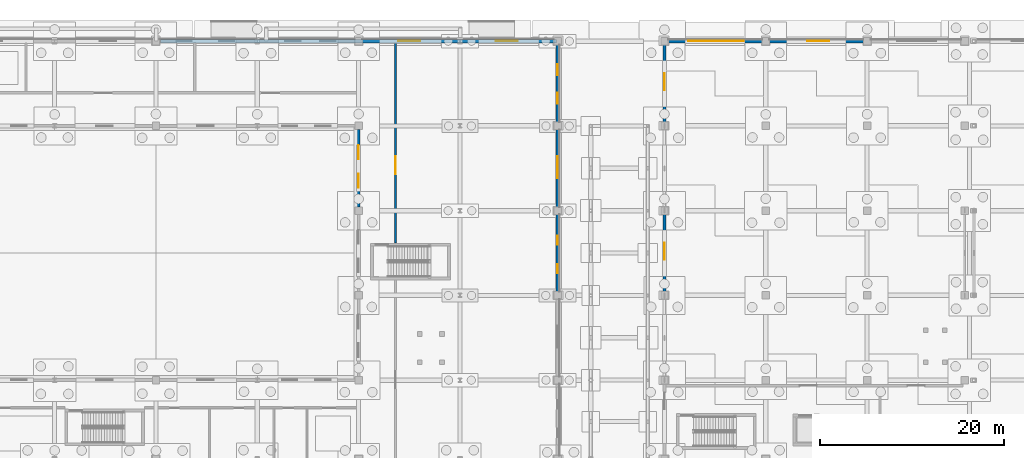
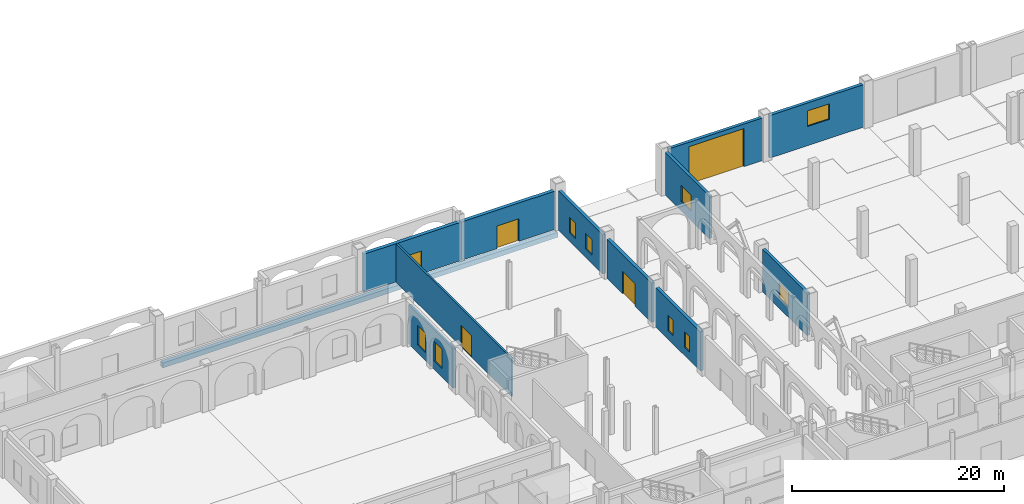
# One storey, part 60 of 83: 12 walls, 9 windows, 5 doors, 14 openings.
"""IFC4 building model written with IfcOpenShell, lengths in metres."""

from ifc_helpers import new_model, si_unit, direction, frame, frame_2d, origin, place, context, subcontext, project, spatial, rectangle, extrude, material, layer, layer_set, type_object, element, fill, save


model = new_model("IFC4")

# Units and contexts
model_context = context("Model", 3, precision=1e-05, world=origin(), true_north=direction((0.0, 1.0)))
body_context = subcontext(model_context, "Body", "Model", "MODEL_VIEW")
ifc_project = project(units=[si_unit("LENGTHUNIT", "METRE"), si_unit("AREAUNIT", "SQUARE_METRE"), si_unit("VOLUMEUNIT", "CUBIC_METRE"), si_unit("PLANEANGLEUNIT", "RADIAN"), si_unit("MASSUNIT", "GRAM", prefix="KILO")], contexts=[model_context])

# Site, building, storey
site_placement = place(None, origin())
site = spatial("IfcSite", under=ifc_project, at=site_placement, CompositionType="ELEMENT")
building_placement = place(site_placement, origin())
building = spatial("IfcBuilding", under=site, at=building_placement, Name="Caurita Quay Ferry Terminal", CompositionType="ELEMENT")
storey_placement = place(building_placement, origin())
storey = spatial("IfcBuildingStorey", under=building, at=storey_placement, Name="L00", CompositionType="ELEMENT", Elevation=0.0)

# Wall, opening, door
ifc_material_1 = material(Name="Warm-white lime stucco masonry", Category="masonry")
ifc_layer_1 = layer(ifc_material_1, 0.199951171875, Name="Interior partitioning wall 200 mm")
ifc_layer_set_1 = layer_set([ifc_layer_1], Name="Warm-white lime stucco masonry")
wall_type_1 = type_object("IfcWallType", Name="WL-CORR-200", PredefinedType="PARTITIONING", material=ifc_layer_set_1)
wall_1_placement = place(storey_placement, frame((70.0, 95.06494140625, 0.0), z_axis=(0.0, 0.0, 1.0), x_axis=(0.0, 1.0, 0.0)))
wall_1 = element("IfcWall", 1, at=wall_1_placement, inside=storey, type_object=wall_type_1, Name="L00 Interior Partition IW-L00-030", PredefinedType="PARTITIONING", context=body_context, shape_type="SweptSolid", body=[
    extrude(rectangle(XDim=21.739990234375, YDim=0.199951171875, at=frame_2d((10.8701171875, 0.0))), origin(), (0.0, 0.0, 1.0), 4.425048828125),
])
opening_1_placement = place(wall_1_placement, frame((7.5048828125, 0.0, 0.0)))
opening_1 = element("IfcOpeningElement", 2, at=opening_1_placement, cuts=wall_1, Name="Opening ID-02", PredefinedType="OPENING", context=body_context, shape_type="SweptSolid", body=[
    extrude(rectangle(XDim=1.949951171875, YDim=2.449951171875, at=frame_2d((0.97509765625, 1.22509765625))), frame((0.0, 0.10986328125, 0.0), z_axis=(0.0, -1.0, 0.0), x_axis=(1.0, 0.0, 0.0)), (0.0, 0.0, 1.0), 0.219970703125),
])
ifc_material_2 = material(Name="Anodized aluminium 6063-T6", Category="aluminium")
door_type_1 = type_object("IfcDoorType", Name="DR-HALL-1950", OperationType="NOTDEFINED", PredefinedType="DOOR", material=ifc_material_2)
door_1_placement = place(opening_1_placement, frame((1.949951171875, 0.0, 0.0), z_axis=(0.0, 0.0, 1.0), x_axis=(-1.0, 0.0, 0.0)))
door_1 = element("IfcDoor", 3, at=door_1_placement, inside=storey, type_object=door_type_1, Name="Group Ticketing Hall Interior Door", OperationType="SINGLE_SWING_RIGHT", OverallHeight=2.449951171875, OverallWidth=1.949951171875, PredefinedType="DOOR", context=body_context, shape_type="SweptSolid", body=[
    extrude(rectangle(XDim=1.949951171875, YDim=2.449951171875, at=frame_2d((0.97509765625, 1.22509765625))), frame((0.0, 0.02490234375, 0.0), z_axis=(0.0, -1.0, 0.0), x_axis=(1.0, 0.0, 0.0)), (0.0, 0.0, 1.0), 0.050048828125),
])
fill(opening_1, door_1)

# Wall, openings, windows
ifc_layer_2 = layer(ifc_material_1, 0.31005859375, Name="Exterior solidwall wall 310 mm")
ifc_layer_set_2 = layer_set([ifc_layer_2], Name="Warm-white lime stucco masonry")
wall_type_2 = type_object("IfcWallType", Name="WL-EXT-310", PredefinedType="SOLIDWALL", material=ifc_layer_set_2)
wall_2_placement = place(storey_placement, frame((66.0, 98.998046875, 0.0), z_axis=(0.0, 0.0, 1.0), x_axis=(0.0, 1.0, 0.0)))
wall_2 = element("IfcWall", 4, at=wall_2_placement, inside=storey, type_object=wall_type_2, Name="L00 Exterior Wall EW-L00-127", PredefinedType="SOLIDWALL", context=body_context, shape_type="SweptSolid", body=[
    extrude(rectangle(XDim=8.404052734375, YDim=0.31005859375, at=frame_2d((4.2021484375, 0.0))), origin(), (0.0, 0.0, 1.0), 4.52490234375),
])
opening_2_placement = place(wall_2_placement, frame((2.10205078125, 0.0, 0.949951171875)))
opening_2 = element("IfcOpeningElement", 5, at=opening_2_placement, cuts=wall_2, Name="Opening W-07", PredefinedType="OPENING", context=body_context, shape_type="SweptSolid", body=[
    extrude(rectangle(XDim=1.5, YDim=2.25, at=frame_2d((0.75, 1.125))), frame((0.0, 0.1650390625, 0.0), z_axis=(0.0, -1.0, 0.0), x_axis=(1.0, 0.0, 0.0)), (0.0, 0.0, 1.0), 0.330078125),
])
opening_3_placement = place(wall_2_placement, frame((5.201904296875, 0.0, 0.949951171875)))
opening_3 = element("IfcOpeningElement", 6, at=opening_3_placement, cuts=wall_2, Name="Opening W-07", PredefinedType="OPENING", context=body_context, shape_type="SweptSolid", body=[
    extrude(rectangle(XDim=1.5, YDim=2.25, at=frame_2d((0.75, 1.125))), frame((0.0, 0.1650390625, 0.0), z_axis=(0.0, -1.0, 0.0), x_axis=(1.0, 0.0, 0.0)), (0.0, 0.0, 1.0), 0.330078125),
])
ifc_material_3 = material(Name="Laminated solar-control insulated glass", Category="glass")
window_type_1 = type_object("IfcWindowType", Name="WIN-SC-1522", PartitioningType="SINGLE_PANEL", PredefinedType="WINDOW", material=ifc_material_3)
window_1_placement = place(opening_2_placement, origin())
window_1 = element("IfcWindow", 7, at=window_1_placement, inside=storey, type_object=window_type_1, Name="L00 Casement Window WN-L00-193", OverallHeight=2.25, OverallWidth=1.5, PartitioningType="SINGLE_PANEL", PredefinedType="WINDOW", context=body_context, shape_type="SweptSolid", body=[
    extrude(rectangle(XDim=1.5, YDim=2.25, at=frame_2d((0.75, 1.125))), frame((0.0, 0.030029296875, 0.0), z_axis=(0.0, -1.0, 0.0), x_axis=(1.0, 0.0, 0.0)), (0.0, 0.0, 1.0), 0.06005859375),
])
fill(opening_2, window_1)
window_2_placement = place(opening_3_placement, origin())
window_2 = element("IfcWindow", 8, at=window_2_placement, inside=storey, type_object=window_type_1, Name="L00 Casement Window WN-L00-194", OverallHeight=2.25, OverallWidth=1.5, PartitioningType="SINGLE_PANEL", PredefinedType="WINDOW", context=body_context, shape_type="SweptSolid", body=[
    extrude(rectangle(XDim=1.5, YDim=2.25, at=frame_2d((0.75, 1.125))), frame((0.0, 0.030029296875, 0.0), z_axis=(0.0, -1.0, 0.0), x_axis=(1.0, 0.0, 0.0)), (0.0, 0.0, 1.0), 0.06005859375),
])
fill(opening_3, window_2)

# Wall, opening, window
wall_3_placement = place(storey_placement, frame((99.199951171875, 98.201904296875, 0.0), z_axis=(0.0, 0.0, 1.0), x_axis=(0.0, -1.0, 0.0)))
wall_3 = element("IfcWall", 9, at=wall_3_placement, inside=storey, type_object=wall_type_2, Name="L00 Exterior Wall EW-L00-236", PredefinedType="SOLIDWALL", context=body_context, shape_type="SweptSolid", body=[
    extrude(rectangle(XDim=8.40380859375, YDim=0.31005859375, at=frame_2d((4.201904296875, 0.0))), origin(), (0.0, 0.0, 1.0), 4.90771484375),
])
opening_4_placement = place(wall_3_placement, frame((3.10205078125, 0.0, 1.10009765625)))
opening_4 = element("IfcOpeningElement", 10, at=opening_4_placement, cuts=wall_3, Name="Opening W-09", PredefinedType="OPENING", context=body_context, shape_type="SweptSolid", body=[
    extrude(rectangle(XDim=1.800048828125, YDim=1.800048828125, at=frame_2d((0.89990234375, 0.89990234375))), frame((0.0, 0.1650390625, 0.0), z_axis=(0.0, -1.0, 0.0), x_axis=(1.0, 0.0, 0.0)), (0.0, 0.0, 1.0), 0.330078125),
])
window_type_2 = type_object("IfcWindowType", Name="WIN-SC-1818", PartitioningType="SINGLE_PANEL", PredefinedType="WINDOW", material=ifc_material_3)
window_3_placement = place(opening_4_placement, origin())
window_3 = element("IfcWindow", 11, at=window_3_placement, inside=storey, type_object=window_type_2, Name="L00 Casement Window WN-L00-333", OverallHeight=1.800048828125, OverallWidth=1.800048828125, PartitioningType="SINGLE_PANEL", PredefinedType="WINDOW", context=body_context, shape_type="SweptSolid", body=[
    extrude(rectangle(XDim=1.800048828125, YDim=1.800048828125, at=frame_2d((0.89990234375, 0.89990234375))), frame((0.0, 0.030029296875, 0.0), z_axis=(0.0, -1.0, 0.0), x_axis=(1.0, 0.0, 0.0)), (0.0, 0.0, 1.0), 0.06005859375),
])
fill(opening_4, window_3)

wall_4_placement = place(storey_placement, frame((99.199951171875, 116.60205078125, 0.0), z_axis=(0.0, 0.0, 1.0), x_axis=(0.0, -1.0, 0.0)))
wall_4 = element("IfcWall", 12, at=wall_4_placement, inside=storey, type_object=wall_type_2, Name="L00 Exterior Wall EW-L00-237", PredefinedType="SOLIDWALL", context=body_context, shape_type="SweptSolid", body=[
    extrude(rectangle(XDim=8.404052734375, YDim=0.31005859375, at=frame_2d((4.2021484375, 0.0))), origin(), (0.0, 0.0, 1.0), 4.90771484375),
])
opening_5_placement = place(wall_4_placement, frame((3.10205078125, 0.0, 1.10009765625)))
opening_5 = element("IfcOpeningElement", 13, at=opening_5_placement, cuts=wall_4, Name="Opening W-09", PredefinedType="OPENING", context=body_context, shape_type="SweptSolid", body=[
    extrude(rectangle(XDim=1.800048828125, YDim=1.800048828125, at=frame_2d((0.89990234375, 0.89990234375))), frame((0.0, 0.1650390625, 0.0), z_axis=(0.0, -1.0, 0.0), x_axis=(1.0, 0.0, 0.0)), (0.0, 0.0, 1.0), 0.330078125),
])
window_4_placement = place(opening_5_placement, origin())
window_4 = element("IfcWindow", 14, at=window_4_placement, inside=storey, type_object=window_type_2, Name="L00 Casement Window WN-L00-334", OverallHeight=1.800048828125, OverallWidth=1.800048828125, PartitioningType="SINGLE_PANEL", PredefinedType="WINDOW", context=body_context, shape_type="SweptSolid", body=[
    extrude(rectangle(XDim=1.800048828125, YDim=1.800048828125, at=frame_2d((0.89990234375, 0.89990234375))), frame((0.0, 0.030029296875, 0.0), z_axis=(0.0, -1.0, 0.0), x_axis=(1.0, 0.0, 0.0)), (0.0, 0.0, 1.0), 0.06005859375),
])
fill(opening_5, window_4)

# Wall, openings, windows
ifc_layer_3 = layer(ifc_material_1, 0.340087890625, Name="Exterior solidwall wall 340 mm")
ifc_layer_set_3 = layer_set([ifc_layer_3], Name="Warm-white lime stucco masonry")
wall_type_3 = type_object("IfcWallType", Name="WL-EXT-340", PredefinedType="SOLIDWALL", material=ifc_layer_set_3)
wall_5_placement = place(storey_placement, frame((87.60009765625, 89.798095703125, 0.0), z_axis=(0.0, 0.0, 1.0), x_axis=(0.0, 1.0, 0.0)))
wall_5 = element("IfcWall", 15, at=wall_5_placement, inside=storey, type_object=wall_type_3, Name="L00 Exterior Wall EW-L00-085", PredefinedType="SOLIDWALL", context=body_context, shape_type="SweptSolid", body=[
    extrude(rectangle(XDim=8.40380859375, YDim=0.340087890625, at=frame_2d((4.201904296875, 0.0))), origin(), (0.0, 0.0, 1.0), 4.52490234375),
])
opening_6_placement = place(wall_5_placement, frame((2.001953125, 0.0, 0.949951171875)))
opening_6 = element("IfcOpeningElement", 16, at=opening_6_placement, cuts=wall_5, Name="Opening W-02", PredefinedType="OPENING", context=body_context, shape_type="SweptSolid", body=[
    extrude(rectangle(XDim=1.0, YDim=1.800048828125, at=frame_2d((0.5, 0.89990234375))), frame((0.0, 0.179931640625, 0.0), z_axis=(0.0, -1.0, 0.0), x_axis=(1.0, 0.0, 0.0)), (0.0, 0.0, 1.0), 0.360107421875),
])
opening_7_placement = place(wall_5_placement, frame((5.10205078125, 0.0, 0.949951171875)))
opening_7 = element("IfcOpeningElement", 17, at=opening_7_placement, cuts=wall_5, Name="Opening W-02", PredefinedType="OPENING", context=body_context, shape_type="SweptSolid", body=[
    extrude(rectangle(XDim=1.0, YDim=1.800048828125, at=frame_2d((0.5, 0.89990234375))), frame((0.0, 0.179931640625, 0.0), z_axis=(0.0, -1.0, 0.0), x_axis=(1.0, 0.0, 0.0)), (0.0, 0.0, 1.0), 0.360107421875),
])
window_type_3 = type_object("IfcWindowType", Name="WIN-SC-1018", PartitioningType="SINGLE_PANEL", PredefinedType="WINDOW", material=ifc_material_3)
window_5_placement = place(opening_6_placement, origin())
window_5 = element("IfcWindow", 18, at=window_5_placement, inside=storey, type_object=window_type_3, Name="L00 Casement Window WN-L00-127", OverallHeight=1.800048828125, OverallWidth=1.0, PartitioningType="SINGLE_PANEL", PredefinedType="WINDOW", context=body_context, shape_type="SweptSolid", body=[
    extrude(rectangle(XDim=1.0, YDim=1.800048828125, at=frame_2d((0.5, 0.89990234375))), frame((0.0, 0.030029296875, 0.0), z_axis=(0.0, -1.0, 0.0), x_axis=(1.0, 0.0, 0.0)), (0.0, 0.0, 1.0), 0.06005859375),
])
fill(opening_6, window_5)
window_6_placement = place(opening_7_placement, origin())
window_6 = element("IfcWindow", 19, at=window_6_placement, inside=storey, type_object=window_type_3, Name="L00 Casement Window WN-L00-128", OverallHeight=1.800048828125, OverallWidth=1.0, PartitioningType="SINGLE_PANEL", PredefinedType="WINDOW", context=body_context, shape_type="SweptSolid", body=[
    extrude(rectangle(XDim=1.0, YDim=1.800048828125, at=frame_2d((0.5, 0.89990234375))), frame((0.0, 0.030029296875, 0.0), z_axis=(0.0, -1.0, 0.0), x_axis=(1.0, 0.0, 0.0)), (0.0, 0.0, 1.0), 0.06005859375),
])
fill(opening_7, window_6)

# Wall, opening, door
wall_6_placement = place(storey_placement, frame((87.60009765625, 98.998046875, 0.0), z_axis=(0.0, 0.0, 1.0), x_axis=(0.0, 1.0, 0.0)))
wall_6 = element("IfcWall", 20, at=wall_6_placement, inside=storey, type_object=wall_type_3, Name="L00 Exterior Wall EW-L00-086", PredefinedType="SOLIDWALL", context=body_context, shape_type="SweptSolid", body=[
    extrude(rectangle(XDim=8.404052734375, YDim=0.340087890625, at=frame_2d((4.2021484375, 0.0))), origin(), (0.0, 0.0, 1.0), 4.52490234375),
])
opening_8_placement = place(wall_6_placement, frame((3.10205078125, 0.0, 0.0)))
opening_8 = element("IfcOpeningElement", 21, at=opening_8_placement, cuts=wall_6, Name="Opening ED-01", PredefinedType="OPENING", context=body_context, shape_type="SweptSolid", body=[
    extrude(rectangle(XDim=2.39990234375, YDim=2.60009765625, at=frame_2d((1.199951171875, 1.300048828125))), frame((0.0, 0.179931640625, 0.0), z_axis=(0.0, -1.0, 0.0), x_axis=(1.0, 0.0, 0.0)), (0.0, 0.0, 1.0), 0.360107421875),
])
door_type_2 = type_object("IfcDoorType", Name="DR-EXT-2426", OperationType="NOTDEFINED", PredefinedType="DOOR", material=ifc_material_2)
door_2_placement = place(opening_8_placement, frame((2.39990234375, 0.0, 0.0), z_axis=(0.0, 0.0, 1.0), x_axis=(-1.0, 0.0, 0.0)))
door_2 = element("IfcDoor", 22, at=door_2_placement, inside=storey, type_object=door_type_2, Name="Forecourt Portico Entrance Door ED-FC3", OperationType="SINGLE_SWING_RIGHT", OverallHeight=2.60009765625, OverallWidth=2.39990234375, PredefinedType="DOOR", context=body_context, shape_type="SweptSolid", body=[
    extrude(rectangle(XDim=2.39990234375, YDim=2.60009765625, at=frame_2d((1.199951171875, 1.300048828125))), frame((0.0, 0.02490234375, 0.0), z_axis=(0.0, -1.0, 0.0), x_axis=(1.0, 0.0, 0.0)), (0.0, 0.0, 1.0), 0.050048828125),
])
fill(opening_8, door_2)

# Wall, openings, windows
wall_7_placement = place(storey_placement, frame((87.60009765625, 108.197998046875, 0.0), z_axis=(0.0, 0.0, 1.0), x_axis=(0.0, 1.0, 0.0)))
wall_7 = element("IfcWall", 23, at=wall_7_placement, inside=storey, type_object=wall_type_3, Name="L00 Exterior Wall EW-L00-087", PredefinedType="SOLIDWALL", context=body_context, shape_type="SweptSolid", body=[
    extrude(rectangle(XDim=8.404052734375, YDim=0.340087890625, at=frame_2d((4.2021484375, 0.0))), origin(), (0.0, 0.0, 1.0), 4.52490234375),
])
opening_9_placement = place(wall_7_placement, frame((2.001953125, 0.0, 0.949951171875)))
opening_9 = element("IfcOpeningElement", 24, at=opening_9_placement, cuts=wall_7, Name="Opening W-03", PredefinedType="OPENING", context=body_context, shape_type="SweptSolid", body=[
    extrude(rectangle(XDim=1.199951171875, YDim=1.800048828125, at=frame_2d((0.60009765625, 0.89990234375))), frame((0.0, 0.179931640625, 0.0), z_axis=(0.0, -1.0, 0.0), x_axis=(1.0, 0.0, 0.0)), (0.0, 0.0, 1.0), 0.360107421875),
])
opening_10_placement = place(wall_7_placement, frame((5.10205078125, 0.0, 0.949951171875)))
opening_10 = element("IfcOpeningElement", 25, at=opening_10_placement, cuts=wall_7, Name="Opening W-03", PredefinedType="OPENING", context=body_context, shape_type="SweptSolid", body=[
    extrude(rectangle(XDim=1.199951171875, YDim=1.800048828125, at=frame_2d((0.60009765625, 0.89990234375))), frame((0.0, 0.179931640625, 0.0), z_axis=(0.0, -1.0, 0.0), x_axis=(1.0, 0.0, 0.0)), (0.0, 0.0, 1.0), 0.360107421875),
])
window_type_4 = type_object("IfcWindowType", Name="WIN-SC-1218", PartitioningType="SINGLE_PANEL", PredefinedType="WINDOW", material=ifc_material_3)
window_7_placement = place(opening_9_placement, origin())
window_7 = element("IfcWindow", 26, at=window_7_placement, inside=storey, type_object=window_type_4, Name="L00 Casement Window WN-L00-129", OverallHeight=1.800048828125, OverallWidth=1.199951171875, PartitioningType="SINGLE_PANEL", PredefinedType="WINDOW", context=body_context, shape_type="SweptSolid", body=[
    extrude(rectangle(XDim=1.199951171875, YDim=1.800048828125, at=frame_2d((0.60009765625, 0.89990234375))), frame((0.0, 0.030029296875, 0.0), z_axis=(0.0, -1.0, 0.0), x_axis=(1.0, 0.0, 0.0)), (0.0, 0.0, 1.0), 0.06005859375),
])
fill(opening_9, window_7)
window_8_placement = place(opening_10_placement, origin())
window_8 = element("IfcWindow", 27, at=window_8_placement, inside=storey, type_object=window_type_4, Name="L00 Casement Window WN-L00-130", OverallHeight=1.800048828125, OverallWidth=1.199951171875, PartitioningType="SINGLE_PANEL", PredefinedType="WINDOW", context=body_context, shape_type="SweptSolid", body=[
    extrude(rectangle(XDim=1.199951171875, YDim=1.800048828125, at=frame_2d((0.60009765625, 0.89990234375))), frame((0.0, 0.030029296875, 0.0), z_axis=(0.0, -1.0, 0.0), x_axis=(1.0, 0.0, 0.0)), (0.0, 0.0, 1.0), 0.06005859375),
])
fill(opening_10, window_8)

# Wall, opening, door
wall_8_placement = place(storey_placement, frame((109.802001953125, 117.0, 0.0), z_axis=(0.0, 0.0, 1.0), x_axis=(-1.0, 0.0, 0.0)))
wall_8 = element("IfcWall", 28, at=wall_8_placement, inside=storey, type_object=wall_type_3, Name="L00 Exterior Wall EW-L00-220", PredefinedType="SOLIDWALL", context=body_context, shape_type="SweptSolid", body=[
    extrude(rectangle(XDim=10.2041015625, YDim=0.340087890625, at=frame_2d((5.10205078125, 0.0))), origin(), (0.0, 0.0, 1.0), 4.90771484375),
])
opening_11_placement = place(wall_8_placement, frame((2.001953125, 0.0, 0.0)))
opening_11 = element("IfcOpeningElement", 29, at=opening_11_placement, cuts=wall_8, Name="Opening VG-01", PredefinedType="OPENING", context=body_context, shape_type="SweptSolid", body=[
    extrude(rectangle(XDim=6.0, YDim=4.39990234375, at=frame_2d((3.0, 2.199951171875))), frame((0.0, 0.179931640625, 0.0), z_axis=(0.0, -1.0, 0.0), x_axis=(1.0, 0.0, 0.0)), (0.0, 0.0, 1.0), 0.360107421875),
])
ifc_material_4 = material(Name="Bronze architectural metalwork", Category="metal")
door_type_3 = type_object("IfcDoorType", Name="GT-VEH-6044", OperationType="ROLLINGUP", PredefinedType="GATE", material=ifc_material_4)
door_3_placement = place(opening_11_placement, frame((6.0, 0.0, 0.0), z_axis=(0.0, 0.0, 1.0), x_axis=(-1.0, 0.0, 0.0)))
door_3 = element("IfcDoor", 30, at=door_3_placement, inside=storey, type_object=door_type_3, Name="Ro-Ro Vehicle Entry Gate VG-01", OperationType="ROLLINGUP", OverallHeight=4.39990234375, OverallWidth=6.0, PredefinedType="GATE", context=body_context, shape_type="SweptSolid", body=[
    extrude(rectangle(XDim=6.0, YDim=4.39990234375, at=frame_2d((3.0, 2.199951171875))), frame((0.0, 0.02490234375, 0.0), z_axis=(0.0, -1.0, 0.0), x_axis=(1.0, 0.0, 0.0)), (0.0, 0.0, 1.0), 0.050048828125),
])
fill(opening_11, door_3)

# Wall, opening, window
wall_9_placement = place(storey_placement, frame((120.802001953125, 117.0, 0.0), z_axis=(0.0, 0.0, 1.0), x_axis=(-1.0, 0.0, 0.0)))
wall_9 = element("IfcWall", 31, at=wall_9_placement, inside=storey, type_object=wall_type_3, Name="L00 Exterior Wall EW-L00-222", PredefinedType="SOLIDWALL", context=body_context, shape_type="SweptSolid", body=[
    extrude(rectangle(XDim=10.2041015625, YDim=0.340087890625, at=frame_2d((5.10205078125, 0.0))), origin(), (0.0, 0.0, 1.0), 4.90771484375),
])
opening_12_placement = place(wall_9_placement, frame((3.701904296875, 0.0, 2.199951171875)))
opening_12 = element("IfcOpeningElement", 32, at=opening_12_placement, cuts=wall_9, Name="Opening W-13", PredefinedType="OPENING", context=body_context, shape_type="SweptSolid", body=[
    extrude(rectangle(XDim=2.39990234375, YDim=1.800048828125, at=frame_2d((1.199951171875, 0.89990234375))), frame((0.0, 0.179931640625, 0.0), z_axis=(0.0, -1.0, 0.0), x_axis=(1.0, 0.0, 0.0)), (0.0, 0.0, 1.0), 0.360107421875),
])
window_type_5 = type_object("IfcWindowType", Name="WIN-SC-2418", PartitioningType="SINGLE_PANEL", PredefinedType="WINDOW", material=ifc_material_3)
window_9_placement = place(opening_12_placement, origin())
window_9 = element("IfcWindow", 33, at=window_9_placement, inside=storey, type_object=window_type_5, Name="L00 Casement Window WN-L00-324", OverallHeight=1.800048828125, OverallWidth=2.39990234375, PartitioningType="SINGLE_PANEL", PredefinedType="WINDOW", context=body_context, shape_type="SweptSolid", body=[
    extrude(rectangle(XDim=2.39990234375, YDim=1.800048828125, at=frame_2d((1.199951171875, 0.89990234375))), frame((0.0, 0.030029296875, 0.0), z_axis=(0.0, -1.0, 0.0), x_axis=(1.0, 0.0, 0.0)), (0.0, 0.0, 1.0), 0.06005859375),
])
fill(opening_12, window_9)

# Wall, opening, door
ifc_material_5 = material(Name="Coral stone ashlar cladding", Category="masonry")
ifc_layer_4 = layer(ifc_material_5, 0.3798828125, Name="Exterior solidwall wall 380 mm")
ifc_layer_set_4 = layer_set([ifc_layer_4], Name="Coral stone ashlar cladding")
wall_type_4 = type_object("IfcWallType", Name="WL-EXT-380", PredefinedType="SOLIDWALL", material=ifc_layer_set_4)
wall_10_placement = place(storey_placement, frame((76.984130859375, 117.0, 0.0), z_axis=(0.0, 0.0, 1.0), x_axis=(-1.0, 0.0, 0.0)))
wall_10 = element("IfcWall", 34, at=wall_10_placement, inside=storey, type_object=wall_type_4, Name="L00 Exterior Wall EW-L00-007", PredefinedType="SOLIDWALL", context=body_context, shape_type="SweptSolid", body=[
    extrude(rectangle(XDim=10.586181640625, YDim=0.3798828125, at=frame_2d((5.29296875, 0.0))), origin(), (0.0, 0.0, 1.0), 4.425048828125),
])
opening_13_placement = place(wall_10_placement, frame((4.2841796875, 0.0, 0.0)))
opening_13 = element("IfcOpeningElement", 35, at=opening_13_placement, cuts=wall_10, Name="Opening ED-01", PredefinedType="OPENING", context=body_context, shape_type="SweptSolid", body=[
    extrude(rectangle(XDim=2.39990234375, YDim=2.60009765625, at=frame_2d((1.199951171875, 1.300048828125))), frame((0.0, 0.199951171875, 0.0), z_axis=(0.0, -1.0, 0.0), x_axis=(1.0, 0.0, 0.0)), (0.0, 0.0, 1.0), 0.39990234375),
])
door_4_placement = place(opening_13_placement, frame((2.39990234375, 0.0, 0.0), z_axis=(0.0, 0.0, 1.0), x_axis=(-1.0, 0.0, 0.0)))
door_4 = element("IfcDoor", 36, at=door_4_placement, inside=storey, type_object=door_type_2, Name="North Street Exit Door ED-N6", OperationType="SINGLE_SWING_LEFT", OverallHeight=2.60009765625, OverallWidth=2.39990234375, PredefinedType="DOOR", context=body_context, shape_type="SweptSolid", body=[
    extrude(rectangle(XDim=2.39990234375, YDim=2.60009765625, at=frame_2d((1.199951171875, 1.300048828125))), frame((0.0, 0.02490234375, 0.0), z_axis=(0.0, -1.0, 0.0), x_axis=(1.0, 0.0, 0.0)), (0.0, 0.0, 1.0), 0.050048828125),
])
fill(opening_13, door_4)

wall_11_placement = place(storey_placement, frame((87.201904296875, 117.0, 0.0), z_axis=(0.0, 0.0, 1.0), x_axis=(-1.0, 0.0, 0.0)))
wall_11 = element("IfcWall", 37, at=wall_11_placement, inside=storey, type_object=wall_type_4, Name="L00 Exterior Wall EW-L00-008", PredefinedType="SOLIDWALL", context=body_context, shape_type="SweptSolid", body=[
    extrude(rectangle(XDim=10.18603515625, YDim=0.3798828125, at=frame_2d((5.093017578125, 0.0))), origin(), (0.0, 0.0, 1.0), 4.425048828125),
])
opening_14_placement = place(wall_11_placement, frame((3.902099609375, 0.0, 0.0)))
opening_14 = element("IfcOpeningElement", 38, at=opening_14_placement, cuts=wall_11, Name="Opening ED-01", PredefinedType="OPENING", context=body_context, shape_type="SweptSolid", body=[
    extrude(rectangle(XDim=2.39990234375, YDim=2.60009765625, at=frame_2d((1.199951171875, 1.300048828125))), frame((0.0, 0.199951171875, 0.0), z_axis=(0.0, -1.0, 0.0), x_axis=(1.0, 0.0, 0.0)), (0.0, 0.0, 1.0), 0.39990234375),
])
door_5_placement = place(opening_14_placement, frame((2.39990234375, 0.0, 0.0), z_axis=(0.0, 0.0, 1.0), x_axis=(-1.0, 0.0, 0.0)))
door_5 = element("IfcDoor", 39, at=door_5_placement, inside=storey, type_object=door_type_2, Name="North Street Exit Door ED-N7", OperationType="SINGLE_SWING_RIGHT", OverallHeight=2.60009765625, OverallWidth=2.39990234375, PredefinedType="DOOR", context=body_context, shape_type="SweptSolid", body=[
    extrude(rectangle(XDim=2.39990234375, YDim=2.60009765625, at=frame_2d((1.199951171875, 1.300048828125))), frame((0.0, 0.02490234375, 0.0), z_axis=(0.0, -1.0, 0.0), x_axis=(1.0, 0.0, 0.0)), (0.0, 0.0, 1.0), 0.050048828125),
])
fill(opening_14, door_5)

# Wall
ifc_material_6 = material(Name="Marine reinforced concrete C40/50", Category="concrete")
ifc_layer_5 = layer(ifc_material_6, 0.419921875, Name="Exterior userdefined wall 420 mm")
ifc_layer_set_5 = layer_set([ifc_layer_5], Name="Marine reinforced concrete C40/50")
wall_type_5 = type_object("IfcWallType", Name="WL-RET-420", PredefinedType="USERDEFINED", material=ifc_layer_set_5)
wall_12_placement = place(storey_placement, frame((44.5, 117.0, -1.0), z_axis=(0.0, 0.0, 1.0), x_axis=(1.0, 0.0, 0.0)))
element("IfcWall", 40, at=wall_12_placement, inside=storey, type_object=wall_type_5, Name="Quay Perimeter Retaining Seawall 07", ObjectType="RETAINING WALL", PredefinedType="USERDEFINED", context=body_context, shape_type="SweptSolid", body=[
    extrude(rectangle(XDim=43.0, YDim=0.419921875, at=frame_2d((21.5, 0.0))), origin(), (0.0, 0.0, 1.0), 0.580078125),
])

save(model, "model.ifc")
